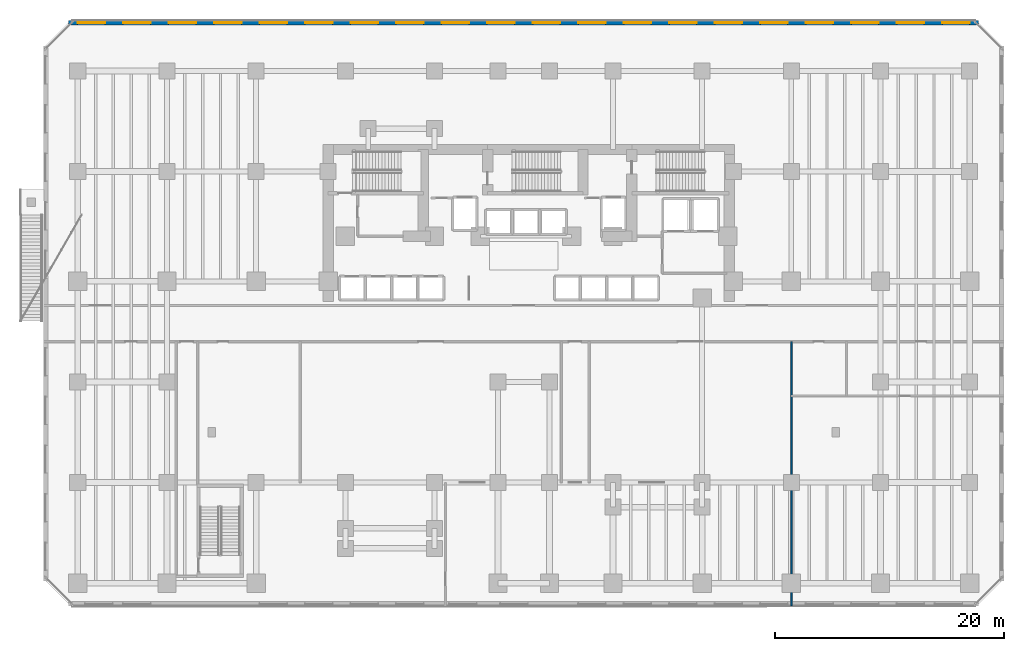
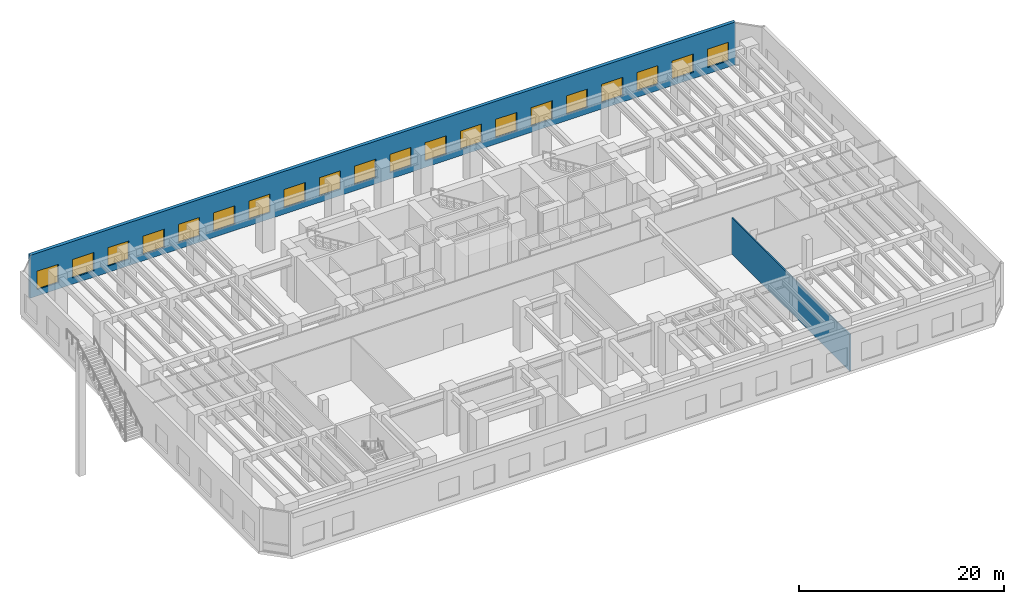
# One storey, part 15 of 21: 20 windows, 2 walls, 20 openings.
"""IFC4 building model written with IfcOpenShell, lengths in metres."""

from ifc_helpers import new_model, si_unit, direction, frame, frame_2d, origin, place, context, subcontext, project, spatial, rectangle, extrude, material, layer, layer_set, type_object, element, fill, save


model = new_model("IFC4")

# Units and contexts
model_context = context("Model", 3, precision=1e-05, world=origin(), true_north=direction((0.0, 1.0)))
body_context = subcontext(model_context, "Body", "Model", "MODEL_VIEW")
ifc_project = project(units=[si_unit("LENGTHUNIT", "METRE"), si_unit("AREAUNIT", "SQUARE_METRE"), si_unit("VOLUMEUNIT", "CUBIC_METRE"), si_unit("PLANEANGLEUNIT", "RADIAN"), si_unit("MASSUNIT", "GRAM", prefix="KILO")], contexts=[model_context])

# Site, building, storey
site_placement = place(None, origin())
site = spatial("IfcSite", under=ifc_project, at=site_placement, CompositionType="ELEMENT")
building_placement = place(site_placement, origin())
building = spatial("IfcBuilding", under=site, at=building_placement, Name="Kestravale Grand Hotel", CompositionType="ELEMENT")
storey_placement = place(building_placement, frame((0.0, 0.0, 10.39990234375)))
storey = spatial("IfcBuildingStorey", under=building, at=storey_placement, Name="L02", CompositionType="ELEMENT", Elevation=10.39990234375)

# Wall, openings, windows
ifc_material_1 = material(Name="Precast concrete f'c 45 MPa", Category="concrete")
ifc_layer_1 = layer(ifc_material_1, 0.3798828125)
ifc_layer_set_1 = layer_set([ifc_layer_1], Name="EW-POD-380")
wall_type_1 = type_object("IfcWallType", Name="EW-POD-380", PredefinedType="SOLIDWALL", material=ifc_layer_set_1)
wall_1_placement = place(storey_placement, frame((78.7900390625, 51.409912109375, 0.0), z_axis=(0.0, 0.0, 1.0), x_axis=(-1.0, 0.0, 0.0)))
wall_1 = element("IfcWall", 1, at=wall_1_placement, inside=storey, type_object=wall_type_1, Name="L02 fluted precast facade wall 5", PredefinedType="SOLIDWALL", context=body_context, shape_type="SweptSolid", body=[
    extrude(rectangle(XDim=79.580078125, YDim=0.3798828125, at=frame_2d((39.7900390625, 0.0))), origin(), (0.0, 0.0, 1.0), 5.10009765625),
])
opening_1_placement = place(wall_1_placement, frame((0.78955078125, 0.0, 0.75)))
opening_1 = element("IfcOpeningElement", 2, at=opening_1_placement, cuts=wall_1, Name="Opening W-POD-2400", PredefinedType="OPENING", context=body_context, shape_type="SweptSolid", body=[
    extrude(rectangle(XDim=2.39990234375, YDim=2.199951171875, at=frame_2d((1.199951171875, 1.10009765625))), frame((0.0, 0.199951171875, 0.0), z_axis=(0.0, -1.0, 0.0), x_axis=(1.0, 0.0, 0.0)), (0.0, 0.0, 1.0), 0.39990234375),
])
opening_2_placement = place(wall_1_placement, frame((4.7685546875, 0.0, 0.75)))
opening_2 = element("IfcOpeningElement", 3, at=opening_2_placement, cuts=wall_1, Name="Opening W-POD-2400", PredefinedType="OPENING", context=body_context, shape_type="SweptSolid", body=[
    extrude(rectangle(XDim=2.39990234375, YDim=2.199951171875, at=frame_2d((1.199951171875, 1.10009765625))), frame((0.0, 0.199951171875, 0.0), z_axis=(0.0, -1.0, 0.0), x_axis=(1.0, 0.0, 0.0)), (0.0, 0.0, 1.0), 0.39990234375),
])
opening_3_placement = place(wall_1_placement, frame((8.74755859375, 0.0, 0.75)))
opening_3 = element("IfcOpeningElement", 4, at=opening_3_placement, cuts=wall_1, Name="Opening W-POD-2400", PredefinedType="OPENING", context=body_context, shape_type="SweptSolid", body=[
    extrude(rectangle(XDim=2.39990234375, YDim=2.199951171875, at=frame_2d((1.199951171875, 1.10009765625))), frame((0.0, 0.199951171875, 0.0), z_axis=(0.0, -1.0, 0.0), x_axis=(1.0, 0.0, 0.0)), (0.0, 0.0, 1.0), 0.39990234375),
])
opening_4_placement = place(wall_1_placement, frame((12.7265625, 0.0, 0.75)))
opening_4 = element("IfcOpeningElement", 5, at=opening_4_placement, cuts=wall_1, Name="Opening W-POD-2400", PredefinedType="OPENING", context=body_context, shape_type="SweptSolid", body=[
    extrude(rectangle(XDim=2.39990234375, YDim=2.199951171875, at=frame_2d((1.199951171875, 1.10009765625))), frame((0.0, 0.199951171875, 0.0), z_axis=(0.0, -1.0, 0.0), x_axis=(1.0, 0.0, 0.0)), (0.0, 0.0, 1.0), 0.39990234375),
])
opening_5_placement = place(wall_1_placement, frame((16.70556640625, 0.0, 0.75)))
opening_5 = element("IfcOpeningElement", 6, at=opening_5_placement, cuts=wall_1, Name="Opening W-POD-2400", PredefinedType="OPENING", context=body_context, shape_type="SweptSolid", body=[
    extrude(rectangle(XDim=2.39990234375, YDim=2.199951171875, at=frame_2d((1.199951171875, 1.10009765625))), frame((0.0, 0.199951171875, 0.0), z_axis=(0.0, -1.0, 0.0), x_axis=(1.0, 0.0, 0.0)), (0.0, 0.0, 1.0), 0.39990234375),
])
opening_6_placement = place(wall_1_placement, frame((20.6845703125, 0.0, 0.75)))
opening_6 = element("IfcOpeningElement", 7, at=opening_6_placement, cuts=wall_1, Name="Opening W-POD-2400", PredefinedType="OPENING", context=body_context, shape_type="SweptSolid", body=[
    extrude(rectangle(XDim=2.39990234375, YDim=2.199951171875, at=frame_2d((1.199951171875, 1.10009765625))), frame((0.0, 0.199951171875, 0.0), z_axis=(0.0, -1.0, 0.0), x_axis=(1.0, 0.0, 0.0)), (0.0, 0.0, 1.0), 0.39990234375),
])
opening_7_placement = place(wall_1_placement, frame((24.66357421875, 0.0, 0.75)))
opening_7 = element("IfcOpeningElement", 8, at=opening_7_placement, cuts=wall_1, Name="Opening W-POD-2400", PredefinedType="OPENING", context=body_context, shape_type="SweptSolid", body=[
    extrude(rectangle(XDim=2.39990234375, YDim=2.199951171875, at=frame_2d((1.199951171875, 1.10009765625))), frame((0.0, 0.199951171875, 0.0), z_axis=(0.0, -1.0, 0.0), x_axis=(1.0, 0.0, 0.0)), (0.0, 0.0, 1.0), 0.39990234375),
])
opening_8_placement = place(wall_1_placement, frame((28.642578125, 0.0, 0.75)))
opening_8 = element("IfcOpeningElement", 9, at=opening_8_placement, cuts=wall_1, Name="Opening W-POD-2400", PredefinedType="OPENING", context=body_context, shape_type="SweptSolid", body=[
    extrude(rectangle(XDim=2.39990234375, YDim=2.199951171875, at=frame_2d((1.199951171875, 1.10009765625))), frame((0.0, 0.199951171875, 0.0), z_axis=(0.0, -1.0, 0.0), x_axis=(1.0, 0.0, 0.0)), (0.0, 0.0, 1.0), 0.39990234375),
])
opening_9_placement = place(wall_1_placement, frame((32.62158203125, 0.0, 0.75)))
opening_9 = element("IfcOpeningElement", 10, at=opening_9_placement, cuts=wall_1, Name="Opening W-POD-2400", PredefinedType="OPENING", context=body_context, shape_type="SweptSolid", body=[
    extrude(rectangle(XDim=2.39990234375, YDim=2.199951171875, at=frame_2d((1.199951171875, 1.10009765625))), frame((0.0, 0.199951171875, 0.0), z_axis=(0.0, -1.0, 0.0), x_axis=(1.0, 0.0, 0.0)), (0.0, 0.0, 1.0), 0.39990234375),
])
opening_10_placement = place(wall_1_placement, frame((36.6005859375, 0.0, 0.75)))
opening_10 = element("IfcOpeningElement", 11, at=opening_10_placement, cuts=wall_1, Name="Opening W-POD-2400", PredefinedType="OPENING", context=body_context, shape_type="SweptSolid", body=[
    extrude(rectangle(XDim=2.39990234375, YDim=2.199951171875, at=frame_2d((1.199951171875, 1.10009765625))), frame((0.0, 0.199951171875, 0.0), z_axis=(0.0, -1.0, 0.0), x_axis=(1.0, 0.0, 0.0)), (0.0, 0.0, 1.0), 0.39990234375),
])
opening_11_placement = place(wall_1_placement, frame((40.57958984375, 0.0, 0.75)))
opening_11 = element("IfcOpeningElement", 12, at=opening_11_placement, cuts=wall_1, Name="Opening W-POD-2400", PredefinedType="OPENING", context=body_context, shape_type="SweptSolid", body=[
    extrude(rectangle(XDim=2.39990234375, YDim=2.199951171875, at=frame_2d((1.199951171875, 1.10009765625))), frame((0.0, 0.199951171875, 0.0), z_axis=(0.0, -1.0, 0.0), x_axis=(1.0, 0.0, 0.0)), (0.0, 0.0, 1.0), 0.39990234375),
])
opening_12_placement = place(wall_1_placement, frame((44.55859375, 0.0, 0.75)))
opening_12 = element("IfcOpeningElement", 13, at=opening_12_placement, cuts=wall_1, Name="Opening W-POD-2400", PredefinedType="OPENING", context=body_context, shape_type="SweptSolid", body=[
    extrude(rectangle(XDim=2.39990234375, YDim=2.199951171875, at=frame_2d((1.199951171875, 1.10009765625))), frame((0.0, 0.199951171875, 0.0), z_axis=(0.0, -1.0, 0.0), x_axis=(1.0, 0.0, 0.0)), (0.0, 0.0, 1.0), 0.39990234375),
])
opening_13_placement = place(wall_1_placement, frame((48.53759765625, 0.0, 0.75)))
opening_13 = element("IfcOpeningElement", 14, at=opening_13_placement, cuts=wall_1, Name="Opening W-POD-2400", PredefinedType="OPENING", context=body_context, shape_type="SweptSolid", body=[
    extrude(rectangle(XDim=2.39990234375, YDim=2.199951171875, at=frame_2d((1.199951171875, 1.10009765625))), frame((0.0, 0.199951171875, 0.0), z_axis=(0.0, -1.0, 0.0), x_axis=(1.0, 0.0, 0.0)), (0.0, 0.0, 1.0), 0.39990234375),
])
opening_14_placement = place(wall_1_placement, frame((52.5166015625, 0.0, 0.75)))
opening_14 = element("IfcOpeningElement", 15, at=opening_14_placement, cuts=wall_1, Name="Opening W-POD-2400", PredefinedType="OPENING", context=body_context, shape_type="SweptSolid", body=[
    extrude(rectangle(XDim=2.39990234375, YDim=2.199951171875, at=frame_2d((1.199951171875, 1.10009765625))), frame((0.0, 0.199951171875, 0.0), z_axis=(0.0, -1.0, 0.0), x_axis=(1.0, 0.0, 0.0)), (0.0, 0.0, 1.0), 0.39990234375),
])
opening_15_placement = place(wall_1_placement, frame((56.49560546875, 0.0, 0.75)))
opening_15 = element("IfcOpeningElement", 16, at=opening_15_placement, cuts=wall_1, Name="Opening W-POD-2400", PredefinedType="OPENING", context=body_context, shape_type="SweptSolid", body=[
    extrude(rectangle(XDim=2.39990234375, YDim=2.199951171875, at=frame_2d((1.199951171875, 1.10009765625))), frame((0.0, 0.199951171875, 0.0), z_axis=(0.0, -1.0, 0.0), x_axis=(1.0, 0.0, 0.0)), (0.0, 0.0, 1.0), 0.39990234375),
])
opening_16_placement = place(wall_1_placement, frame((60.474609375, 0.0, 0.75)))
opening_16 = element("IfcOpeningElement", 17, at=opening_16_placement, cuts=wall_1, Name="Opening W-POD-2400", PredefinedType="OPENING", context=body_context, shape_type="SweptSolid", body=[
    extrude(rectangle(XDim=2.39990234375, YDim=2.199951171875, at=frame_2d((1.199951171875, 1.10009765625))), frame((0.0, 0.199951171875, 0.0), z_axis=(0.0, -1.0, 0.0), x_axis=(1.0, 0.0, 0.0)), (0.0, 0.0, 1.0), 0.39990234375),
])
opening_17_placement = place(wall_1_placement, frame((64.45361328125, 0.0, 0.75)))
opening_17 = element("IfcOpeningElement", 18, at=opening_17_placement, cuts=wall_1, Name="Opening W-POD-2400", PredefinedType="OPENING", context=body_context, shape_type="SweptSolid", body=[
    extrude(rectangle(XDim=2.39990234375, YDim=2.199951171875, at=frame_2d((1.199951171875, 1.10009765625))), frame((0.0, 0.199951171875, 0.0), z_axis=(0.0, -1.0, 0.0), x_axis=(1.0, 0.0, 0.0)), (0.0, 0.0, 1.0), 0.39990234375),
])
opening_18_placement = place(wall_1_placement, frame((68.4326171875, 0.0, 0.75)))
opening_18 = element("IfcOpeningElement", 19, at=opening_18_placement, cuts=wall_1, Name="Opening W-POD-2400", PredefinedType="OPENING", context=body_context, shape_type="SweptSolid", body=[
    extrude(rectangle(XDim=2.39990234375, YDim=2.199951171875, at=frame_2d((1.199951171875, 1.10009765625))), frame((0.0, 0.199951171875, 0.0), z_axis=(0.0, -1.0, 0.0), x_axis=(1.0, 0.0, 0.0)), (0.0, 0.0, 1.0), 0.39990234375),
])
opening_19_placement = place(wall_1_placement, frame((72.41162109375, 0.0, 0.75)))
opening_19 = element("IfcOpeningElement", 20, at=opening_19_placement, cuts=wall_1, Name="Opening W-POD-2400", PredefinedType="OPENING", context=body_context, shape_type="SweptSolid", body=[
    extrude(rectangle(XDim=2.39990234375, YDim=2.199951171875, at=frame_2d((1.199951171875, 1.10009765625))), frame((0.0, 0.199951171875, 0.0), z_axis=(0.0, -1.0, 0.0), x_axis=(1.0, 0.0, 0.0)), (0.0, 0.0, 1.0), 0.39990234375),
])
opening_20_placement = place(wall_1_placement, frame((76.390380859375, 0.0, 0.75)))
opening_20 = element("IfcOpeningElement", 21, at=opening_20_placement, cuts=wall_1, Name="Opening W-POD-2400", PredefinedType="OPENING", context=body_context, shape_type="SweptSolid", body=[
    extrude(rectangle(XDim=2.39990234375, YDim=2.199951171875, at=frame_2d((1.199951171875, 1.10009765625))), frame((0.0, 0.199951171875, 0.0), z_axis=(0.0, -1.0, 0.0), x_axis=(1.0, 0.0, 0.0)), (0.0, 0.0, 1.0), 0.39990234375),
])
ifc_material_2 = material(Name="Insulated low-E double glazing in aluminium frame", Category="aluminium")
window_type = type_object("IfcWindowType", Name="W-POD-2400", PartitioningType="DOUBLE_PANEL_VERTICAL", PredefinedType="WINDOW", material=ifc_material_2)
window_1_placement = place(opening_1_placement, origin())
window_1 = element("IfcWindow", 22, at=window_1_placement, inside=storey, type_object=window_type, Name="L02 exterior window 5.1", OverallHeight=2.199951171875, OverallWidth=2.39990234375, PartitioningType="SINGLE_PANEL", PredefinedType="WINDOW", context=body_context, shape_type="SweptSolid", body=[
    extrude(rectangle(XDim=2.39990234375, YDim=2.199951171875, at=frame_2d((1.199951171875, 1.10009765625))), frame((0.0, 0.030029296875, 0.0), z_axis=(0.0, -1.0, 0.0), x_axis=(1.0, 0.0, 0.0)), (0.0, 0.0, 1.0), 0.06005859375),
])
fill(opening_1, window_1)
window_2_placement = place(opening_2_placement, origin())
window_2 = element("IfcWindow", 23, at=window_2_placement, inside=storey, type_object=window_type, Name="L02 exterior window 5.2", OverallHeight=2.199951171875, OverallWidth=2.39990234375, PartitioningType="SINGLE_PANEL", PredefinedType="WINDOW", context=body_context, shape_type="SweptSolid", body=[
    extrude(rectangle(XDim=2.39990234375, YDim=2.199951171875, at=frame_2d((1.199951171875, 1.10009765625))), frame((0.0, 0.030029296875, 0.0), z_axis=(0.0, -1.0, 0.0), x_axis=(1.0, 0.0, 0.0)), (0.0, 0.0, 1.0), 0.06005859375),
])
fill(opening_2, window_2)
window_3_placement = place(opening_3_placement, origin())
window_3 = element("IfcWindow", 24, at=window_3_placement, inside=storey, type_object=window_type, Name="L02 exterior window 5.3", OverallHeight=2.199951171875, OverallWidth=2.39990234375, PartitioningType="SINGLE_PANEL", PredefinedType="WINDOW", context=body_context, shape_type="SweptSolid", body=[
    extrude(rectangle(XDim=2.39990234375, YDim=2.199951171875, at=frame_2d((1.199951171875, 1.10009765625))), frame((0.0, 0.030029296875, 0.0), z_axis=(0.0, -1.0, 0.0), x_axis=(1.0, 0.0, 0.0)), (0.0, 0.0, 1.0), 0.06005859375),
])
fill(opening_3, window_3)
window_4_placement = place(opening_4_placement, origin())
window_4 = element("IfcWindow", 25, at=window_4_placement, inside=storey, type_object=window_type, Name="L02 exterior window 5.4", OverallHeight=2.199951171875, OverallWidth=2.39990234375, PartitioningType="SINGLE_PANEL", PredefinedType="WINDOW", context=body_context, shape_type="SweptSolid", body=[
    extrude(rectangle(XDim=2.39990234375, YDim=2.199951171875, at=frame_2d((1.199951171875, 1.10009765625))), frame((0.0, 0.030029296875, 0.0), z_axis=(0.0, -1.0, 0.0), x_axis=(1.0, 0.0, 0.0)), (0.0, 0.0, 1.0), 0.06005859375),
])
fill(opening_4, window_4)
window_5_placement = place(opening_5_placement, origin())
window_5 = element("IfcWindow", 26, at=window_5_placement, inside=storey, type_object=window_type, Name="L02 exterior window 5.5", OverallHeight=2.199951171875, OverallWidth=2.39990234375, PartitioningType="SINGLE_PANEL", PredefinedType="WINDOW", context=body_context, shape_type="SweptSolid", body=[
    extrude(rectangle(XDim=2.39990234375, YDim=2.199951171875, at=frame_2d((1.199951171875, 1.10009765625))), frame((0.0, 0.030029296875, 0.0), z_axis=(0.0, -1.0, 0.0), x_axis=(1.0, 0.0, 0.0)), (0.0, 0.0, 1.0), 0.06005859375),
])
fill(opening_5, window_5)
window_6_placement = place(opening_6_placement, origin())
window_6 = element("IfcWindow", 27, at=window_6_placement, inside=storey, type_object=window_type, Name="L02 exterior window 5.6", OverallHeight=2.199951171875, OverallWidth=2.39990234375, PartitioningType="SINGLE_PANEL", PredefinedType="WINDOW", context=body_context, shape_type="SweptSolid", body=[
    extrude(rectangle(XDim=2.39990234375, YDim=2.199951171875, at=frame_2d((1.199951171875, 1.10009765625))), frame((0.0, 0.030029296875, 0.0), z_axis=(0.0, -1.0, 0.0), x_axis=(1.0, 0.0, 0.0)), (0.0, 0.0, 1.0), 0.06005859375),
])
fill(opening_6, window_6)
window_7_placement = place(opening_7_placement, origin())
window_7 = element("IfcWindow", 28, at=window_7_placement, inside=storey, type_object=window_type, Name="L02 exterior window 5.7", OverallHeight=2.199951171875, OverallWidth=2.39990234375, PartitioningType="SINGLE_PANEL", PredefinedType="WINDOW", context=body_context, shape_type="SweptSolid", body=[
    extrude(rectangle(XDim=2.39990234375, YDim=2.199951171875, at=frame_2d((1.199951171875, 1.10009765625))), frame((0.0, 0.030029296875, 0.0), z_axis=(0.0, -1.0, 0.0), x_axis=(1.0, 0.0, 0.0)), (0.0, 0.0, 1.0), 0.06005859375),
])
fill(opening_7, window_7)
window_8_placement = place(opening_8_placement, origin())
window_8 = element("IfcWindow", 29, at=window_8_placement, inside=storey, type_object=window_type, Name="L02 exterior window 5.8", OverallHeight=2.199951171875, OverallWidth=2.39990234375, PartitioningType="SINGLE_PANEL", PredefinedType="WINDOW", context=body_context, shape_type="SweptSolid", body=[
    extrude(rectangle(XDim=2.39990234375, YDim=2.199951171875, at=frame_2d((1.199951171875, 1.10009765625))), frame((0.0, 0.030029296875, 0.0), z_axis=(0.0, -1.0, 0.0), x_axis=(1.0, 0.0, 0.0)), (0.0, 0.0, 1.0), 0.06005859375),
])
fill(opening_8, window_8)
window_9_placement = place(opening_9_placement, origin())
window_9 = element("IfcWindow", 30, at=window_9_placement, inside=storey, type_object=window_type, Name="L02 exterior window 5.9", OverallHeight=2.199951171875, OverallWidth=2.39990234375, PartitioningType="SINGLE_PANEL", PredefinedType="WINDOW", context=body_context, shape_type="SweptSolid", body=[
    extrude(rectangle(XDim=2.39990234375, YDim=2.199951171875, at=frame_2d((1.199951171875, 1.10009765625))), frame((0.0, 0.030029296875, 0.0), z_axis=(0.0, -1.0, 0.0), x_axis=(1.0, 0.0, 0.0)), (0.0, 0.0, 1.0), 0.06005859375),
])
fill(opening_9, window_9)
window_10_placement = place(opening_10_placement, origin())
window_10 = element("IfcWindow", 31, at=window_10_placement, inside=storey, type_object=window_type, Name="L02 exterior window 5.10", OverallHeight=2.199951171875, OverallWidth=2.39990234375, PartitioningType="SINGLE_PANEL", PredefinedType="WINDOW", context=body_context, shape_type="SweptSolid", body=[
    extrude(rectangle(XDim=2.39990234375, YDim=2.199951171875, at=frame_2d((1.199951171875, 1.10009765625))), frame((0.0, 0.030029296875, 0.0), z_axis=(0.0, -1.0, 0.0), x_axis=(1.0, 0.0, 0.0)), (0.0, 0.0, 1.0), 0.06005859375),
])
fill(opening_10, window_10)
window_11_placement = place(opening_11_placement, origin())
window_11 = element("IfcWindow", 32, at=window_11_placement, inside=storey, type_object=window_type, Name="L02 exterior window 5.11", OverallHeight=2.199951171875, OverallWidth=2.39990234375, PartitioningType="SINGLE_PANEL", PredefinedType="WINDOW", context=body_context, shape_type="SweptSolid", body=[
    extrude(rectangle(XDim=2.39990234375, YDim=2.199951171875, at=frame_2d((1.199951171875, 1.10009765625))), frame((0.0, 0.030029296875, 0.0), z_axis=(0.0, -1.0, 0.0), x_axis=(1.0, 0.0, 0.0)), (0.0, 0.0, 1.0), 0.06005859375),
])
fill(opening_11, window_11)
window_12_placement = place(opening_12_placement, origin())
window_12 = element("IfcWindow", 33, at=window_12_placement, inside=storey, type_object=window_type, Name="L02 exterior window 5.12", OverallHeight=2.199951171875, OverallWidth=2.39990234375, PartitioningType="SINGLE_PANEL", PredefinedType="WINDOW", context=body_context, shape_type="SweptSolid", body=[
    extrude(rectangle(XDim=2.39990234375, YDim=2.199951171875, at=frame_2d((1.199951171875, 1.10009765625))), frame((0.0, 0.030029296875, 0.0), z_axis=(0.0, -1.0, 0.0), x_axis=(1.0, 0.0, 0.0)), (0.0, 0.0, 1.0), 0.06005859375),
])
fill(opening_12, window_12)
window_13_placement = place(opening_13_placement, origin())
window_13 = element("IfcWindow", 34, at=window_13_placement, inside=storey, type_object=window_type, Name="L02 exterior window 5.13", OverallHeight=2.199951171875, OverallWidth=2.39990234375, PartitioningType="SINGLE_PANEL", PredefinedType="WINDOW", context=body_context, shape_type="SweptSolid", body=[
    extrude(rectangle(XDim=2.39990234375, YDim=2.199951171875, at=frame_2d((1.199951171875, 1.10009765625))), frame((0.0, 0.030029296875, 0.0), z_axis=(0.0, -1.0, 0.0), x_axis=(1.0, 0.0, 0.0)), (0.0, 0.0, 1.0), 0.06005859375),
])
fill(opening_13, window_13)
window_14_placement = place(opening_14_placement, origin())
window_14 = element("IfcWindow", 35, at=window_14_placement, inside=storey, type_object=window_type, Name="L02 exterior window 5.14", OverallHeight=2.199951171875, OverallWidth=2.39990234375, PartitioningType="SINGLE_PANEL", PredefinedType="WINDOW", context=body_context, shape_type="SweptSolid", body=[
    extrude(rectangle(XDim=2.39990234375, YDim=2.199951171875, at=frame_2d((1.199951171875, 1.10009765625))), frame((0.0, 0.030029296875, 0.0), z_axis=(0.0, -1.0, 0.0), x_axis=(1.0, 0.0, 0.0)), (0.0, 0.0, 1.0), 0.06005859375),
])
fill(opening_14, window_14)
window_15_placement = place(opening_15_placement, origin())
window_15 = element("IfcWindow", 36, at=window_15_placement, inside=storey, type_object=window_type, Name="L02 exterior window 5.15", OverallHeight=2.199951171875, OverallWidth=2.39990234375, PartitioningType="SINGLE_PANEL", PredefinedType="WINDOW", context=body_context, shape_type="SweptSolid", body=[
    extrude(rectangle(XDim=2.39990234375, YDim=2.199951171875, at=frame_2d((1.199951171875, 1.10009765625))), frame((0.0, 0.030029296875, 0.0), z_axis=(0.0, -1.0, 0.0), x_axis=(1.0, 0.0, 0.0)), (0.0, 0.0, 1.0), 0.06005859375),
])
fill(opening_15, window_15)
window_16_placement = place(opening_16_placement, origin())
window_16 = element("IfcWindow", 37, at=window_16_placement, inside=storey, type_object=window_type, Name="L02 exterior window 5.16", OverallHeight=2.199951171875, OverallWidth=2.39990234375, PartitioningType="SINGLE_PANEL", PredefinedType="WINDOW", context=body_context, shape_type="SweptSolid", body=[
    extrude(rectangle(XDim=2.39990234375, YDim=2.199951171875, at=frame_2d((1.199951171875, 1.10009765625))), frame((0.0, 0.030029296875, 0.0), z_axis=(0.0, -1.0, 0.0), x_axis=(1.0, 0.0, 0.0)), (0.0, 0.0, 1.0), 0.06005859375),
])
fill(opening_16, window_16)
window_17_placement = place(opening_17_placement, origin())
window_17 = element("IfcWindow", 38, at=window_17_placement, inside=storey, type_object=window_type, Name="L02 exterior window 5.17", OverallHeight=2.199951171875, OverallWidth=2.39990234375, PartitioningType="SINGLE_PANEL", PredefinedType="WINDOW", context=body_context, shape_type="SweptSolid", body=[
    extrude(rectangle(XDim=2.39990234375, YDim=2.199951171875, at=frame_2d((1.199951171875, 1.10009765625))), frame((0.0, 0.030029296875, 0.0), z_axis=(0.0, -1.0, 0.0), x_axis=(1.0, 0.0, 0.0)), (0.0, 0.0, 1.0), 0.06005859375),
])
fill(opening_17, window_17)
window_18_placement = place(opening_18_placement, origin())
window_18 = element("IfcWindow", 39, at=window_18_placement, inside=storey, type_object=window_type, Name="L02 exterior window 5.18", OverallHeight=2.199951171875, OverallWidth=2.39990234375, PartitioningType="SINGLE_PANEL", PredefinedType="WINDOW", context=body_context, shape_type="SweptSolid", body=[
    extrude(rectangle(XDim=2.39990234375, YDim=2.199951171875, at=frame_2d((1.199951171875, 1.10009765625))), frame((0.0, 0.030029296875, 0.0), z_axis=(0.0, -1.0, 0.0), x_axis=(1.0, 0.0, 0.0)), (0.0, 0.0, 1.0), 0.06005859375),
])
fill(opening_18, window_18)
window_19_placement = place(opening_19_placement, origin())
window_19 = element("IfcWindow", 40, at=window_19_placement, inside=storey, type_object=window_type, Name="L02 exterior window 5.19", OverallHeight=2.199951171875, OverallWidth=2.39990234375, PartitioningType="SINGLE_PANEL", PredefinedType="WINDOW", context=body_context, shape_type="SweptSolid", body=[
    extrude(rectangle(XDim=2.39990234375, YDim=2.199951171875, at=frame_2d((1.199951171875, 1.10009765625))), frame((0.0, 0.030029296875, 0.0), z_axis=(0.0, -1.0, 0.0), x_axis=(1.0, 0.0, 0.0)), (0.0, 0.0, 1.0), 0.06005859375),
])
fill(opening_19, window_19)
window_20_placement = place(opening_20_placement, origin())
window_20 = element("IfcWindow", 41, at=window_20_placement, inside=storey, type_object=window_type, Name="L02 exterior window 5.20", OverallHeight=2.199951171875, OverallWidth=2.39990234375, PartitioningType="SINGLE_PANEL", PredefinedType="WINDOW", context=body_context, shape_type="SweptSolid", body=[
    extrude(rectangle(XDim=2.39990234375, YDim=2.199951171875, at=frame_2d((1.199951171875, 1.10009765625))), frame((0.0, 0.030029296875, 0.0), z_axis=(0.0, -1.0, 0.0), x_axis=(1.0, 0.0, 0.0)), (0.0, 0.0, 1.0), 0.06005859375),
])
fill(opening_20, window_20)

# Wall
ifc_material_3 = material(Name="Moisture-resistant tile-backer plumbing chase wall", Category="other")
ifc_layer_2 = layer(ifc_material_3, 0.139892578125)
ifc_layer_set_2 = layer_set([ifc_layer_2], Name="IW-PLB-140")
wall_type_2 = type_object("IfcWallType", Name="IW-PLB-140", PredefinedType="PLUMBINGWALL", material=ifc_layer_set_2)
wall_2_placement = place(storey_placement, frame((62.39990234375, 0.419921875, 0.0), z_axis=(0.0, 0.0, 1.0), x_axis=(0.0, 1.0, 0.0)))
element("IfcWall", 42, at=wall_2_placement, inside=storey, type_object=wall_type_2, Name="W-L02-WCL", PredefinedType="PLUMBINGWALL", context=body_context, shape_type="SweptSolid", body=[
    extrude(rectangle(XDim=23.10009765625, YDim=0.139892578125, at=frame_2d((11.550048828125, 0.0))), origin(), (0.0, 0.0, 1.0), 4.35009765625),
])

save(model, "model.ifc")
